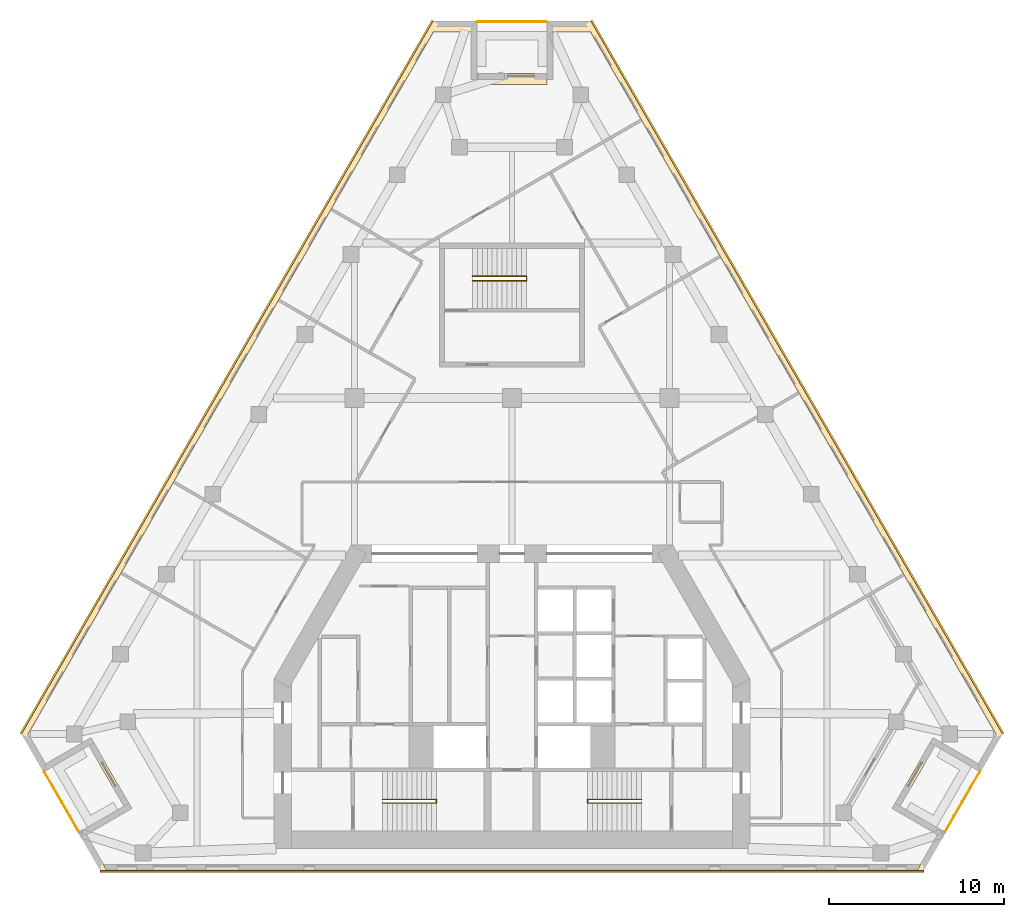
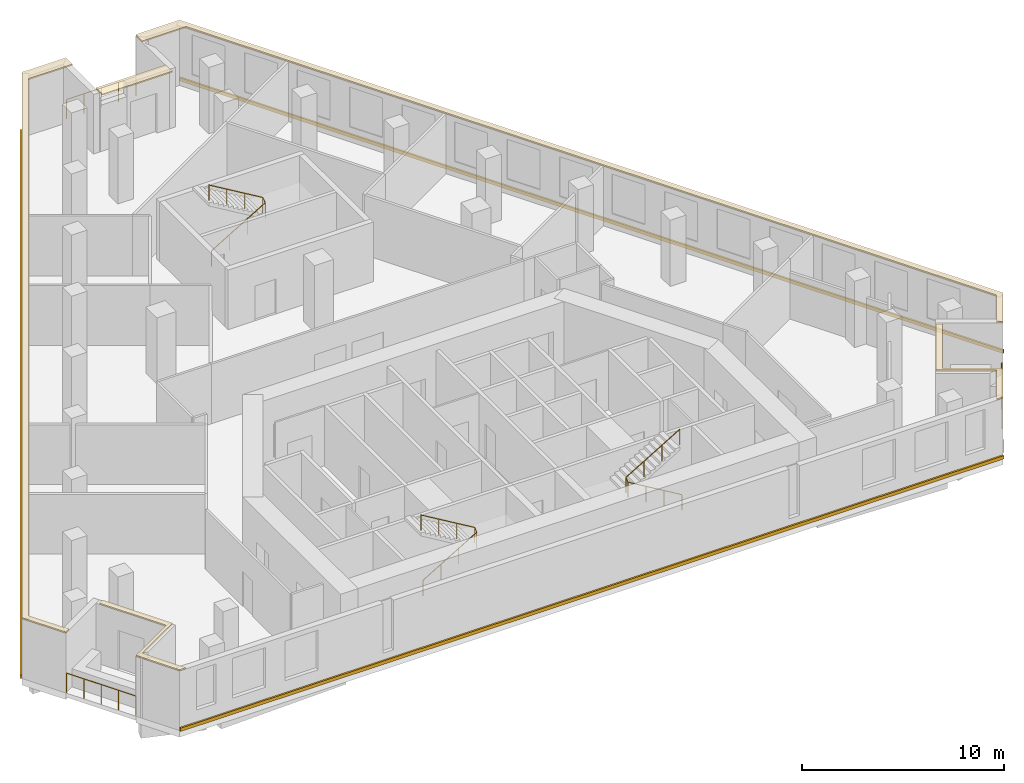
# One storey, part 9 of 9: 8 coverings, 6 railings.
"""IFC4 building model written with IfcOpenShell, lengths in metres."""

from ifc_helpers import new_model, si_unit, direction, frame, origin, origin_2d, place, context, subcontext, project, spatial, polyline, circle, outline, extrude, material, layer, layer_set, type_object, element, save


model = new_model("IFC4")

# Units and contexts
model_context = context("Model", 3, precision=1e-05, world=origin(), true_north=direction((0.0, 1.0)))
body_context = subcontext(model_context, "Body", "Model", "MODEL_VIEW")
ifc_project = project(units=[si_unit("LENGTHUNIT", "METRE"), si_unit("AREAUNIT", "SQUARE_METRE"), si_unit("VOLUMEUNIT", "CUBIC_METRE"), si_unit("PLANEANGLEUNIT", "RADIAN"), si_unit("MASSUNIT", "GRAM", prefix="KILO")], contexts=[model_context])

# Site, building, storey
site_placement = place(None, origin())
site = spatial("IfcSite", under=ifc_project, at=site_placement, CompositionType="ELEMENT")
building_placement = place(site_placement, origin())
building = spatial("IfcBuilding", under=site, at=building_placement, Name="Fogline Exchange Tower", CompositionType="ELEMENT")
storey_placement = place(building_placement, frame((0.0, 0.0, 190.10009765625)))
storey = spatial("IfcBuildingStorey", under=building, at=storey_placement, Name="L42", CompositionType="ELEMENT", Elevation=190.10009765625)

# Coverings
ifc_material_1 = material(Name="Granite", Category="masonry")
ifc_layer = layer(ifc_material_1, 0.080078125)
ifc_layer_set = layer_set([ifc_layer], Name="CP1")
covering_type_1 = type_object("IfcCoveringType", Name="CP1", PredefinedType="USERDEFINED", material=ifc_layer_set)
covering_1_placement = place(storey_placement, frame((0.0, 0.0, 3.599853515625)))
element("IfcCovering", 1, at=covering_1_placement, inside=storey, type_object=covering_type_1, Name="Ledge coping L42", ObjectType="COPING", PredefinedType="USERDEFINED", context=body_context, shape_type="SweptSolid", body=[
    extrude(outline(polyline([(-26.78125, 5.629150390625), (-26.501953125, 5.790283203125), (-27.658935546875, 7.794189453125), (-4.5, 47.90673828125), (-2.0, 47.90673828125), (-2.0, 48.5517578125), (-4.5, 48.5517578125), (-28.03125, 7.794189453125), (-26.78125, 5.629150390625)])), origin(), (0.0, 0.0, 1.0), 0.080078125),
])
covering_2_placement = place(storey_placement, frame((0.0, 0.0, 3.599853515625)))
element("IfcCovering", 2, at=covering_2_placement, inside=storey, type_object=covering_type_1, Name="Ledge coping L42", ObjectType="COPING", PredefinedType="USERDEFINED", context=body_context, shape_type="SweptSolid", body=[
    extrude(outline(polyline([(-23.53125, 0.0), (-23.158935546875, 0.0), (-24.408935546875, 2.1650390625), (-21.810791015625, 3.6650390625), (-23.810791015625, 7.129150390625), (-24.090087890625, 6.968017578125), (-22.18310546875, 3.6650390625), (-24.78125, 2.1650390625), (-23.53125, 0.0)])), origin(), (0.0, 0.0, 1.0), 0.080078125),
])
covering_3_placement = place(storey_placement, frame((0.0, 0.0, 3.599853515625)))
element("IfcCovering", 3, at=covering_3_placement, inside=storey, type_object=covering_type_1, Name="Ledge coping L42", ObjectType="COPING", PredefinedType="USERDEFINED", context=body_context, shape_type="SweptSolid", body=[
    extrude(outline(polyline([(22.18310546875, 3.6650390625), (24.090087890625, 6.968017578125), (23.810791015625, 7.129150390625), (21.810791015625, 3.6650390625), (24.408935546875, 2.1650390625), (23.158935546875, 0.0), (23.53125, 0.0), (24.78125, 2.1650390625), (22.18310546875, 3.6650390625)])), origin(), (0.0, 0.0, 1.0), 0.080078125),
])
covering_4_placement = place(storey_placement, frame((0.0, 0.0, 3.599853515625)))
element("IfcCovering", 4, at=covering_4_placement, inside=storey, type_object=covering_type_1, Name="Ledge coping L42", ObjectType="COPING", PredefinedType="USERDEFINED", context=body_context, shape_type="SweptSolid", body=[
    extrude(outline(polyline([(2.0, 48.5517578125), (2.0, 47.90673828125), (4.5, 47.90673828125), (27.658935546875, 7.794189453125), (26.501953125, 5.790283203125), (26.78125, 5.629150390625), (28.03125, 7.794189453125), (4.5, 48.5517578125), (2.0, 48.5517578125)])), origin(), (0.0, 0.0, 1.0), 0.080078125),
])
covering_5_placement = place(storey_placement, frame((0.0, 0.0, 3.599853515625)))
element("IfcCovering", 5, at=covering_5_placement, inside=storey, type_object=covering_type_1, Name="Ledge coping L42", ObjectType="COPING", PredefinedType="USERDEFINED", context=body_context, shape_type="SweptSolid", body=[
    extrude(outline(polyline([(2.0, 45.5517578125), (-2.0, 45.5517578125), (-2.0, 44.90673828125), (2.0, 44.90673828125), (2.0, 45.5517578125)])), origin(), (0.0, 0.0, 1.0), 0.080078125),
])

# Railings
ifc_material_2 = material(Name="Stainless steel 304", Category="steel")
railing_type_1 = type_object("IfcRailingType", Name="G1", PredefinedType="GUARDRAIL", material=ifc_material_2)
railing_1_placement = place(storey_placement, frame((-26.7275390625, 5.635986328125, 0.0)))
element("IfcRailing", 6, at=railing_1_placement, inside=storey, type_object=railing_type_1, Name="Balcony guard L42 SW", PredefinedType="GUARDRAIL", context=body_context, shape_type="SweptSolid", body=[
    extrude(circle(Radius=0.02392578125, at=origin_2d()), frame((0.0, 0.0, 1.17578125), z_axis=(0.500000102728, -0.866025344474, 0.0), x_axis=(0.866025344474, 0.500000102728, 0.0)), (0.0, 0.0, 1.0), 3.9580078125),
    extrude(circle(Radius=0.02099609375, at=origin_2d()), origin(), (0.0, 0.0, 1.0), 1.15185546875),
    extrude(circle(Radius=0.02099609375, at=origin_2d()), frame((0.49462890625, -0.85693359375, 0.0)), (0.0, 0.0, 1.0), 1.15185546875),
    extrude(circle(Radius=0.02099609375, at=origin_2d()), frame((0.989501953125, -1.7138671875, 0.0)), (0.0, 0.0, 1.0), 1.15185546875),
    extrude(circle(Radius=0.02099609375, at=origin_2d()), frame((1.484375, -2.57080078125, 0.0)), (0.0, 0.0, 1.0), 1.15185546875),
    extrude(circle(Radius=0.02099609375, at=origin_2d()), frame((1.97900390625, -3.427734375, 0.0)), (0.0, 0.0, 1.0), 1.15185546875),
])
railing_2_placement = place(storey_placement, frame((24.74853515625, 2.208251953125, 0.0)))
element("IfcRailing", 7, at=railing_2_placement, inside=storey, type_object=railing_type_1, Name="Balcony guard L42 SE", PredefinedType="GUARDRAIL", context=body_context, shape_type="SweptSolid", body=[
    extrude(circle(Radius=0.02392578125, at=origin_2d()), frame((0.0, 0.0, 1.17578125), z_axis=(0.500000102728, 0.866025344474, 0.0), x_axis=(-0.866025344474, 0.500000102728, 0.0)), (0.0, 0.0, 1.0), 3.9580078125),
    extrude(circle(Radius=0.02099609375, at=origin_2d()), origin(), (0.0, 0.0, 1.0), 1.15185546875),
    extrude(circle(Radius=0.02099609375, at=origin_2d()), frame((0.49462890625, 0.85693359375, 0.0)), (0.0, 0.0, 1.0), 1.15185546875),
    extrude(circle(Radius=0.02099609375, at=origin_2d()), frame((0.989501953125, 1.7138671875, 0.0)), (0.0, 0.0, 1.0), 1.15185546875),
    extrude(circle(Radius=0.02099609375, at=origin_2d()), frame((1.484375, 2.57080078125, 0.0)), (0.0, 0.0, 1.0), 1.15185546875),
    extrude(circle(Radius=0.02099609375, at=origin_2d()), frame((1.97900390625, 3.427734375, 0.0)), (0.0, 0.0, 1.0), 1.15185546875),
])
railing_3_placement = place(storey_placement, frame((1.97900390625, 48.501708984375, 0.0)))
element("IfcRailing", 8, at=railing_3_placement, inside=storey, type_object=railing_type_1, Name="Balcony guard L42 N", PredefinedType="GUARDRAIL", context=body_context, shape_type="SweptSolid", body=[
    extrude(circle(Radius=0.02392578125, at=origin_2d()), frame((0.0, 0.0, 1.17578125), z_axis=(-1.0, 0.0, 0.0), x_axis=(0.0, -1.0, 0.0)), (0.0, 0.0, 1.0), 3.9580078125),
    extrude(circle(Radius=0.02099609375, at=origin_2d()), origin(), (0.0, 0.0, 1.0), 1.15185546875),
    extrude(circle(Radius=0.02099609375, at=origin_2d()), frame((-0.989501953125, 0.0, 0.0)), (0.0, 0.0, 1.0), 1.15185546875),
    extrude(circle(Radius=0.02099609375, at=origin_2d()), frame((-1.97900390625, 0.0, 0.0)), (0.0, 0.0, 1.0), 1.15185546875),
    extrude(circle(Radius=0.02099609375, at=origin_2d()), frame((-2.968505859375, 0.0, 0.0)), (0.0, 0.0, 1.0), 1.15185546875),
    extrude(circle(Radius=0.02099609375, at=origin_2d()), frame((-3.9580078125, 0.0, 0.0)), (0.0, 0.0, 1.0), 1.15185546875),
])
ifc_material_3 = material(Name="Steel Q235B", Category="steel")
railing_type_2 = type_object("IfcRailingType", Name="RL-HR", PredefinedType="HANDRAIL", material=ifc_material_3)
railing_4_placement = place(storey_placement, frame((-7.39990234375, 3.85009765625, 0.16650390625)))
element("IfcRailing", 9, at=railing_4_placement, inside=storey, type_object=railing_type_2, Name="Handrail ST1", PredefinedType="HANDRAIL", context=body_context, shape_type="SweptSolid", body=[
    extrude(circle(Radius=0.02392578125, at=origin_2d()), frame((0.0, 0.0, 0.92578125), z_axis=(0.859260807169, 0.0, 0.511537745687), x_axis=(0.0, 1.0, 0.0)), (0.0, 0.0, 1.0), 3.584228515625),
    extrude(circle(Radius=0.02392578125, at=origin_2d()), frame((3.079833984375, 0.0, 2.75927734375), z_axis=(0.0, 0.768451954486, 0.639907488351), x_axis=(-1.0, 0.0, 0.0)), (0.0, 0.0, 1.0), 0.26025390625),
    extrude(circle(Radius=0.02392578125, at=origin_2d()), frame((3.079833984375, 0.199951171875, 2.92578125), z_axis=(-0.859260807169, 0.0, 0.511537745687), x_axis=(0.0, -1.0, 0.0)), (0.0, 0.0, 1.0), 3.584228515625),
    extrude(circle(Radius=0.02099609375, at=origin_2d()), origin(), (0.0, 0.0, 1.0), 0.90185546875),
    extrude(circle(Radius=0.02099609375, at=origin_2d()), frame((1.026611328125, 0.0, 0.611083984375)), (0.0, 0.0, 1.0), 0.90185546875),
    extrude(circle(Radius=0.02099609375, at=origin_2d()), frame((2.05322265625, 0.0, 1.222412109375)), (0.0, 0.0, 1.0), 0.90185546875),
    extrude(circle(Radius=0.02099609375, at=origin_2d()), frame((3.079833984375, 0.0, 1.83349609375)), (0.0, 0.0, 1.0), 0.90185546875),
    extrude(circle(Radius=0.02099609375, at=origin_2d()), frame((3.079833984375, 0.199951171875, 2.0)), (0.0, 0.0, 1.0), 0.90185546875),
    extrude(circle(Radius=0.02099609375, at=origin_2d()), frame((2.05322265625, 0.199951171875, 2.611083984375)), (0.0, 0.0, 1.0), 0.90185546875),
    extrude(circle(Radius=0.02099609375, at=origin_2d()), frame((1.026611328125, 0.199951171875, 3.222412109375)), (0.0, 0.0, 1.0), 0.90185546875),
    extrude(circle(Radius=0.02099609375, at=origin_2d()), frame((0.0, 0.199951171875, 3.83349609375)), (0.0, 0.0, 1.0), 0.90185546875),
])
railing_5_placement = place(storey_placement, frame((7.39990234375, 3.85009765625, 0.16650390625)))
element("IfcRailing", 10, at=railing_5_placement, inside=storey, type_object=railing_type_2, Name="Handrail ST2", PredefinedType="HANDRAIL", context=body_context, shape_type="SweptSolid", body=[
    extrude(circle(Radius=0.02392578125, at=origin_2d()), frame((0.0, 0.0, 0.92578125), z_axis=(-0.859260807169, 0.0, 0.511537745687), x_axis=(0.0, -1.0, 0.0)), (0.0, 0.0, 1.0), 3.584228515625),
    extrude(circle(Radius=0.02392578125, at=origin_2d()), frame((-3.079833984375, 0.0, 2.75927734375), z_axis=(0.0, 0.768451954486, 0.639907488351), x_axis=(-1.0, 0.0, 0.0)), (0.0, 0.0, 1.0), 0.26025390625),
    extrude(circle(Radius=0.02392578125, at=origin_2d()), frame((-3.079833984375, 0.199951171875, 2.92578125), z_axis=(0.859260807169, 0.0, 0.511537745687), x_axis=(0.0, 1.0, 0.0)), (0.0, 0.0, 1.0), 3.584228515625),
    extrude(circle(Radius=0.02099609375, at=origin_2d()), origin(), (0.0, 0.0, 1.0), 0.90185546875),
    extrude(circle(Radius=0.02099609375, at=origin_2d()), frame((-1.026611328125, 0.0, 0.611083984375)), (0.0, 0.0, 1.0), 0.90185546875),
    extrude(circle(Radius=0.02099609375, at=origin_2d()), frame((-2.05322265625, 0.0, 1.222412109375)), (0.0, 0.0, 1.0), 0.90185546875),
    extrude(circle(Radius=0.02099609375, at=origin_2d()), frame((-3.079833984375, 0.0, 1.83349609375)), (0.0, 0.0, 1.0), 0.90185546875),
    extrude(circle(Radius=0.02099609375, at=origin_2d()), frame((-3.079833984375, 0.199951171875, 2.0)), (0.0, 0.0, 1.0), 0.90185546875),
    extrude(circle(Radius=0.02099609375, at=origin_2d()), frame((-2.05322265625, 0.199951171875, 2.611083984375)), (0.0, 0.0, 1.0), 0.90185546875),
    extrude(circle(Radius=0.02099609375, at=origin_2d()), frame((-1.026611328125, 0.199951171875, 3.222412109375)), (0.0, 0.0, 1.0), 0.90185546875),
    extrude(circle(Radius=0.02099609375, at=origin_2d()), frame((0.0, 0.199951171875, 3.83349609375)), (0.0, 0.0, 1.0), 0.90185546875),
])
railing_6_placement = place(storey_placement, frame((-2.25, 33.70703125, 0.16650390625)))
element("IfcRailing", 11, at=railing_6_placement, inside=storey, type_object=railing_type_2, Name="Handrail ST3", PredefinedType="HANDRAIL", context=body_context, shape_type="SweptSolid", body=[
    extrude(circle(Radius=0.02392578125, at=origin_2d()), frame((0.0, 0.0, 0.92578125), z_axis=(0.85927862911, 0.0, 0.511507807912), x_axis=(0.0, 1.0, 0.0)), (0.0, 0.0, 1.0), 3.58447265625),
    extrude(circle(Radius=0.02392578125, at=origin_2d()), frame((3.080078125, 0.0, 2.75927734375), z_axis=(0.0, 0.832300300006, 0.554325004496), x_axis=(-1.0, 0.0, 0.0)), (0.0, 0.0, 1.0), 0.30029296875),
    extrude(circle(Radius=0.02392578125, at=origin_2d()), frame((3.080078125, 0.25, 2.92578125), z_axis=(-0.85927862911, 0.0, 0.511507807912), x_axis=(0.0, -1.0, 0.0)), (0.0, 0.0, 1.0), 3.58447265625),
    extrude(circle(Radius=0.02099609375, at=origin_2d()), origin(), (0.0, 0.0, 1.0), 0.90185546875),
    extrude(circle(Radius=0.02099609375, at=origin_2d()), frame((1.026611328125, 0.0, 0.611083984375)), (0.0, 0.0, 1.0), 0.90185546875),
    extrude(circle(Radius=0.02099609375, at=origin_2d()), frame((2.053466796875, 0.0, 1.222412109375)), (0.0, 0.0, 1.0), 0.90185546875),
    extrude(circle(Radius=0.02099609375, at=origin_2d()), frame((3.080078125, 0.0, 1.83349609375)), (0.0, 0.0, 1.0), 0.90185546875),
    extrude(circle(Radius=0.02099609375, at=origin_2d()), frame((3.080078125, 0.25, 2.0)), (0.0, 0.0, 1.0), 0.90185546875),
    extrude(circle(Radius=0.02099609375, at=origin_2d()), frame((2.053466796875, 0.25, 2.611083984375)), (0.0, 0.0, 1.0), 0.90185546875),
    extrude(circle(Radius=0.02099609375, at=origin_2d()), frame((1.026611328125, 0.25, 3.222412109375)), (0.0, 0.0, 1.0), 0.90185546875),
    extrude(circle(Radius=0.02099609375, at=origin_2d()), frame((0.0, 0.25, 3.83349609375)), (0.0, 0.0, 1.0), 0.90185546875),
])

# Coverings
ifc_material_4 = material(Name="Brick masonry", Category="masonry")
covering_type_2 = type_object("IfcCoveringType", Name="SB1", PredefinedType="CLADDING", material=ifc_material_4)
covering_6_placement = place(storey_placement, origin())
element("IfcCovering", 12, at=covering_6_placement, inside=storey, type_object=covering_type_2, Name="Stringcourse band L42 S", PredefinedType="CLADDING", context=body_context, shape_type="SweptSolid", body=[
    extrude(outline(polyline([(-23.53125, 0.0), (-23.53125, -0.10009765625), (23.53125, -0.10009765625), (23.53125, 0.0), (-23.53125, 0.0)])), origin(), (0.0, 0.0, 1.0), 0.199951171875),
])
covering_7_placement = place(storey_placement, origin())
element("IfcCovering", 13, at=covering_7_placement, inside=storey, type_object=covering_type_2, Name="Stringcourse band L42 E", PredefinedType="CLADDING", context=body_context, shape_type="SweptSolid", body=[
    extrude(outline(polyline([(28.03125, 7.794189453125), (28.117919921875, 7.84423828125), (4.586669921875, 48.601806640625), (4.5, 48.5517578125), (28.03125, 7.794189453125)])), origin(), (0.0, 0.0, 1.0), 0.199951171875),
])
covering_8_placement = place(storey_placement, origin())
element("IfcCovering", 14, at=covering_8_placement, inside=storey, type_object=covering_type_2, Name="Stringcourse band L42 W", PredefinedType="CLADDING", context=body_context, shape_type="SweptSolid", body=[
    extrude(outline(polyline([(-4.5, 48.5517578125), (-4.586669921875, 48.601806640625), (-28.117919921875, 7.84423828125), (-28.03125, 7.794189453125), (-4.5, 48.5517578125)])), origin(), (0.0, 0.0, 1.0), 0.199951171875),
])

save(model, "model.ifc")
